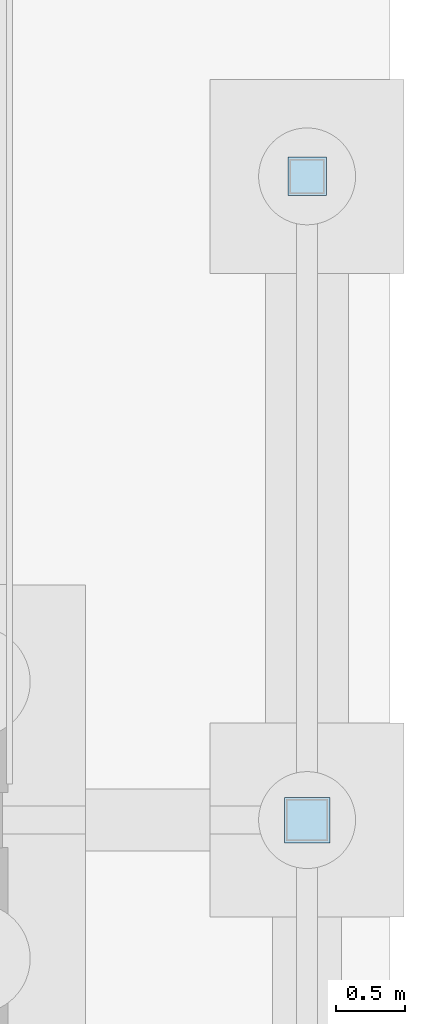
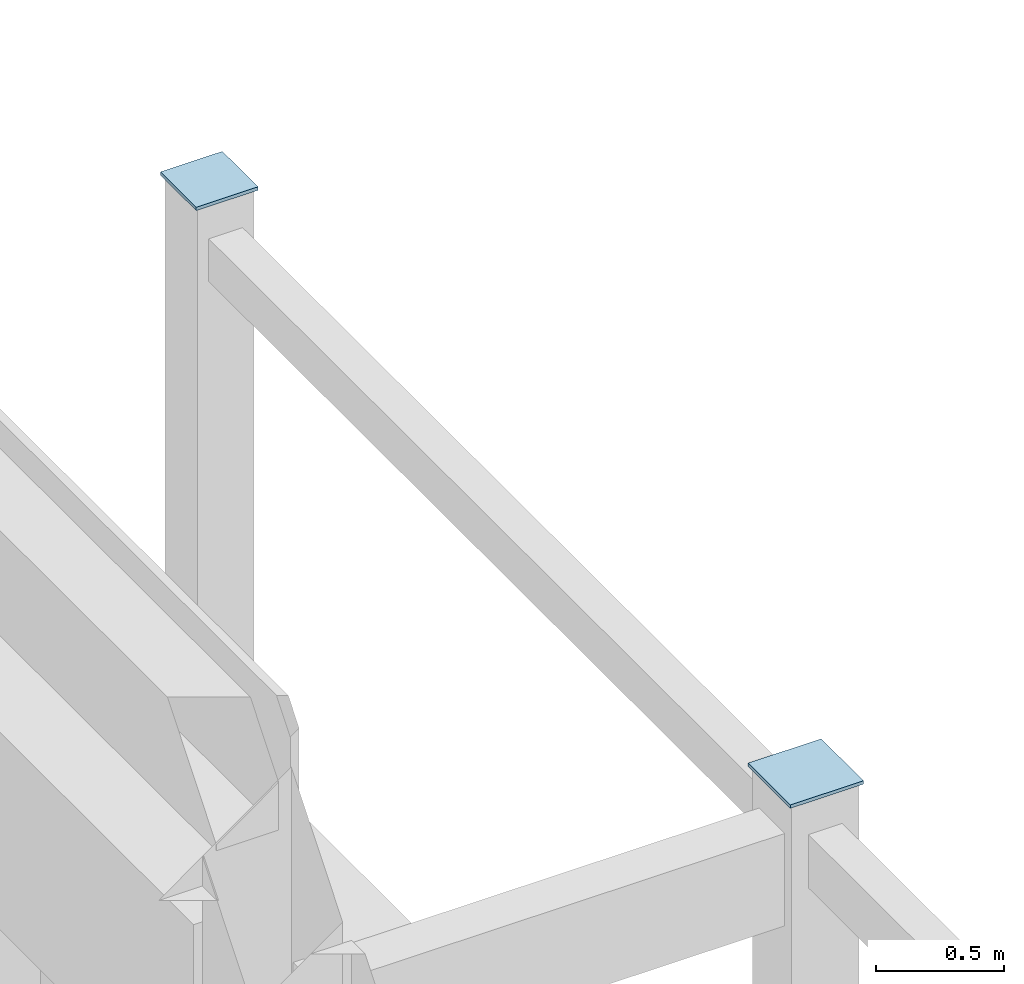
# One storey, part 93 of 143: 2 plates.
"""IFC4 building model written with IfcOpenShell, lengths in metres."""

from ifc_helpers import new_model, si_unit, direction, frame, origin, origin_2d, place, context, subcontext, project, spatial, rectangle, extrude, material, layer, layer_set, type_object, element, save


model = new_model("IFC4")

# Units and contexts
model_context = context("Model", 3, precision=1e-05, world=origin(), true_north=direction((0.0, 1.0)))
body_context = subcontext(model_context, "Body", "Model", "MODEL_VIEW")
ifc_project = project(units=[si_unit("LENGTHUNIT", "METRE"), si_unit("AREAUNIT", "SQUARE_METRE"), si_unit("VOLUMEUNIT", "CUBIC_METRE"), si_unit("PLANEANGLEUNIT", "RADIAN"), si_unit("MASSUNIT", "GRAM", prefix="KILO")], contexts=[model_context])

# Site, building, storey
site_placement = place(None, origin())
site = spatial("IfcSite", under=ifc_project, at=site_placement, CompositionType="ELEMENT")
building_placement = place(site_placement, origin())
building = spatial("IfcBuilding", under=site, at=building_placement, Name="Steenspoor Specialist Clinic", CompositionType="ELEMENT")
storey_placement = place(building_placement, origin())
storey = spatial("IfcBuildingStorey", under=building, at=storey_placement, Name="L00", CompositionType="ELEMENT", Elevation=0.0)

# Plates
ifc_material = material(Name="Steel A572 Grade 50", Category="steel")
ifc_layer = layer(ifc_material, 0.01611328125)
ifc_layer_set = layer_set([ifc_layer], Name="Steel A572 Grade 50")
plate_type = type_object("IfcPlateType", Name="PL-GUS-16", PredefinedType="SHEET", material=ifc_layer_set)
plate_1_placement = place(storey_placement, frame((163.60009765625, 27.449951171875, 3.5478515625), z_axis=(0.0, 0.0, 1.0), x_axis=(1.0, 0.0, 0.0)))
element("IfcPlate", 1, at=plate_1_placement, inside=storey, type_object=plate_type, Name="Hollow Column Top Cap Plate GP-16 1", PredefinedType="SHEET", context=body_context, shape_type="SweptSolid", body=[
    extrude(rectangle(XDim=0.3291015625, YDim=0.3291015625, at=origin_2d()), origin(), (0.0, 0.0, 1.0), 0.01611328125),
])
plate_2_placement = place(storey_placement, frame((163.60009765625, 32.10009765625, 3.5478515625), z_axis=(0.0, 0.0, 1.0), x_axis=(1.0, 0.0, 0.0)))
element("IfcPlate", 2, at=plate_2_placement, inside=storey, type_object=plate_type, Name="Hollow Column Top Cap Plate GP-16 2", PredefinedType="SHEET", context=body_context, shape_type="SweptSolid", body=[
    extrude(rectangle(XDim=0.278076171875, YDim=0.278076171875, at=origin_2d()), origin(), (0.0, 0.0, 1.0), 0.01611328125),
])

save(model, "model.ifc")
